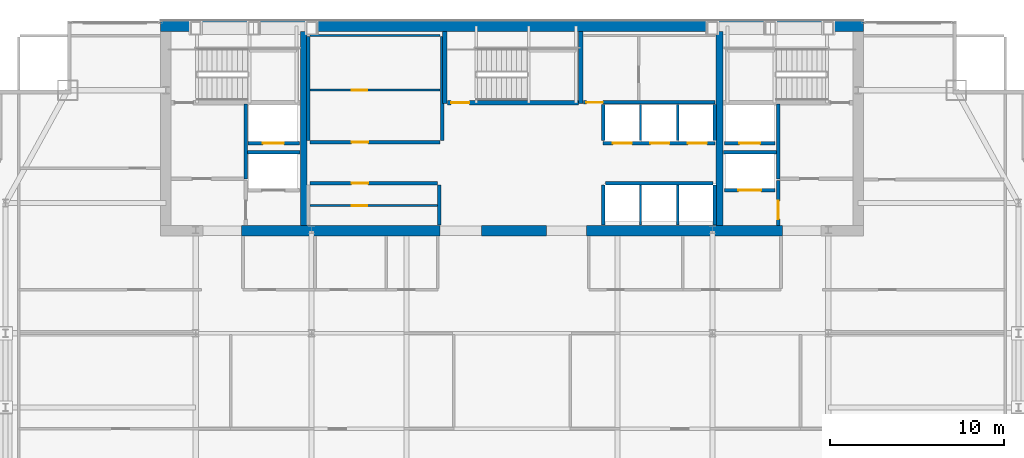
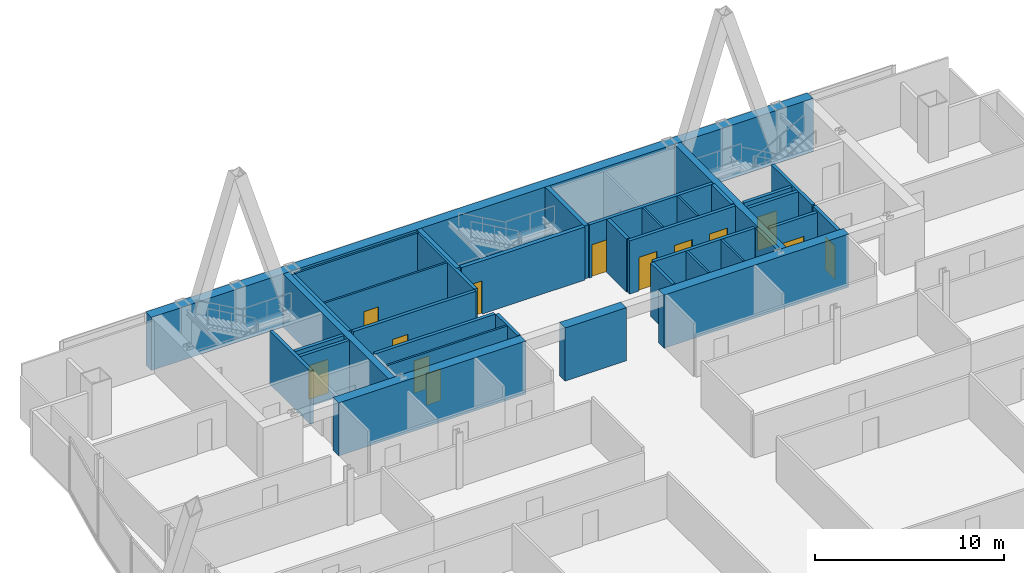
# One storey, part 30 of 33: 36 walls, 13 doors, 13 openings.
"""IFC4 building model written with IfcOpenShell, lengths in metres."""

from ifc_helpers import new_model, si_unit, direction, frame, frame_2d, origin, place, context, subcontext, project, spatial, rectangle, extrude, material, layer, layer_set, type_object, element, fill, save


model = new_model("IFC4")

# Units and contexts
model_context = context("Model", 3, precision=1e-05, world=origin(), true_north=direction((0.0, 1.0)))
body_context = subcontext(model_context, "Body", "Model", "MODEL_VIEW")
ifc_project = project(units=[si_unit("LENGTHUNIT", "METRE"), si_unit("AREAUNIT", "SQUARE_METRE"), si_unit("VOLUMEUNIT", "CUBIC_METRE"), si_unit("PLANEANGLEUNIT", "RADIAN"), si_unit("MASSUNIT", "GRAM", prefix="KILO")], contexts=[model_context])

# Site, building, storey
site_placement = place(None, origin())
site = spatial("IfcSite", under=ifc_project, at=site_placement, CompositionType="ELEMENT")
building_placement = place(site_placement, origin())
building = spatial("IfcBuilding", under=site, at=building_placement, Name="Khoronbel Lancet Exchange", CompositionType="ELEMENT")
storey_placement = place(building_placement, frame((0.0, 0.0, 210.199951171875)))
storey = spatial("IfcBuildingStorey", under=building, at=storey_placement, Name="L53", CompositionType="ELEMENT", Elevation=210.199951171875)

# Walls
ifc_material_1 = material(Name="Concrete C60/75", Category="concrete")
ifc_layer_1 = layer(ifc_material_1, 0.60009765625, Name="Concrete C60/75")
ifc_layer_set_1 = layer_set([ifc_layer_1], Name="Concrete C60/75")
wall_type_1 = type_object("IfcWallType", Name="WL-CW3", PredefinedType="SHEAR", material=ifc_layer_set_1)
wall_1_placement = place(storey_placement, frame((16.199951171875, 53.39990234375, 0.0), z_axis=(0.0, 0.0, 1.0), x_axis=(1.0, 0.0, 0.0)))
element("IfcWall", 1, at=wall_1_placement, inside=storey, type_object=wall_type_1, Name="Level L53 rear core north shear wall", PredefinedType="SHEAR", context=body_context, shape_type="SweptSolid", body=[
    extrude(rectangle(XDim=40.5, YDim=0.60009765625, at=frame_2d((20.25, 0.0))), origin(), (0.0, 0.0, 1.0), 3.43994140625),
])
wall_2_placement = place(storey_placement, frame((32.300048828125, 41.60009765625, 0.0), z_axis=(0.0, 0.0, 1.0), x_axis=(-1.0, 0.0, 0.0)))
element("IfcWall", 2, at=wall_2_placement, inside=storey, type_object=wall_type_1, Name="Level L53 rear core south shear wall pier P2", PredefinedType="SHEAR", context=body_context, shape_type="SweptSolid", body=[
    extrude(rectangle(XDim=11.449951171875, YDim=0.60009765625, at=frame_2d((5.72509765625, 0.0))), origin(), (0.0, 0.0, 1.0), 3.43994140625),
])
wall_3_placement = place(storey_placement, frame((38.449951171875, 41.60009765625, 0.0), z_axis=(0.0, 0.0, 1.0), x_axis=(-1.0, 0.0, 0.0)))
element("IfcWall", 3, at=wall_3_placement, inside=storey, type_object=wall_type_1, Name="Level L53 rear core south shear wall pier P3", PredefinedType="SHEAR", context=body_context, shape_type="SweptSolid", body=[
    extrude(rectangle(XDim=3.75, YDim=0.60009765625, at=frame_2d((1.875, 0.0))), origin(), (0.0, 0.0, 1.0), 3.43994140625),
])
wall_4_placement = place(storey_placement, frame((52.050048828125, 41.60009765625, 0.0), z_axis=(0.0, 0.0, 1.0), x_axis=(-1.0, 0.0, 0.0)))
element("IfcWall", 4, at=wall_4_placement, inside=storey, type_object=wall_type_1, Name="Level L53 rear core south shear wall pier P4", PredefinedType="SHEAR", context=body_context, shape_type="SweptSolid", body=[
    extrude(rectangle(XDim=11.300048828125, YDim=0.60009765625, at=frame_2d((5.64990234375, 0.0))), origin(), (0.0, 0.0, 1.0), 3.43994140625),
])
ifc_material_2 = material(Name="Fire-Rated Metal-Stud & Mineral-Wool Gypsum Partition 120 mm", Category="gypsum")
ifc_layer_2 = layer(ifc_material_2, 0.1201171875, Name="Fire-Rated Metal-Stud & Mineral-Wool Gypsum Partition 120 mm")
ifc_layer_set_2 = layer_set([ifc_layer_2], Name="Fire-Rated Metal-Stud & Mineral-Wool Gypsum Partition 120 mm")
wall_type_2 = type_object("IfcWallType", Name="WL-PRT120F", PredefinedType="PARTITIONING", material=ifc_layer_set_2)
wall_5_placement = place(storey_placement, frame((24.804931640625, 52.860107421875, 0.0), z_axis=(0.0, 0.0, 1.0), x_axis=(1.0, 0.0, 0.0)))
element("IfcWall", 5, at=wall_5_placement, inside=storey, type_object=wall_type_2, Name="Level L53 interior partition CW-PL-RN", PredefinedType="PARTITIONING", context=body_context, shape_type="SweptSolid", body=[
    extrude(rectangle(XDim=7.510009765625, YDim=0.1201171875, at=frame_2d((3.7548828125, 0.0))), origin(), (0.0, 0.0, 1.0), 3.43994140625),
])

# Wall, opening, door
wall_6_placement = place(storey_placement, frame((24.804931640625, 49.708740234375, 0.0), z_axis=(0.0, 0.0, 1.0), x_axis=(1.0, 0.0, 0.0)))
wall_6 = element("IfcWall", 6, at=wall_6_placement, inside=storey, type_object=wall_type_2, Name="Level L53 interior partition CW-PL-RH", PredefinedType="PARTITIONING", context=body_context, shape_type="SweptSolid", body=[
    extrude(rectangle(XDim=7.510009765625, YDim=0.1201171875, at=frame_2d((3.7548828125, 0.0))), origin(), (0.0, 0.0, 1.0), 3.43994140625),
])
opening_1_placement = place(wall_6_placement, frame((2.39990234375, 0.0, 0.0)))
opening_1 = element("IfcOpeningElement", 7, at=opening_1_placement, cuts=wall_6, Name="Opening FD4", PredefinedType="OPENING", context=body_context, shape_type="SweptSolid", body=[
    extrude(rectangle(XDim=0.89990234375, YDim=2.050048828125, at=frame_2d((0.449951171875, 1.02490234375))), frame((0.0, 0.070068359375, 0.0), z_axis=(0.0, -1.0, 0.0), x_axis=(1.0, 0.0, 0.0)), (0.0, 0.0, 1.0), 0.14013671875),
])
ifc_material_3 = material(Name="Fire-Rated Steel Core Support Door Assembly", Category="steel")
door_type_1 = type_object("IfcDoorType", Name="DR-FD4", OperationType="NOTDEFINED", PredefinedType="DOOR", material=ifc_material_3)
door_1_placement = place(opening_1_placement, origin())
door_1 = element("IfcDoor", 8, at=door_1_placement, inside=storey, type_object=door_type_1, Name="Core PL inner store door L53-1", OperationType="SINGLE_SWING_RIGHT", OverallHeight=2.050048828125, OverallWidth=0.89990234375, PredefinedType="DOOR", context=body_context, shape_type="SweptSolid", body=[
    extrude(rectangle(XDim=0.89990234375, YDim=2.050048828125, at=frame_2d((0.449951171875, 1.02490234375))), frame((0.0, 0.02490234375, 0.0), z_axis=(0.0, -1.0, 0.0), x_axis=(1.0, 0.0, 0.0)), (0.0, 0.0, 1.0), 0.050048828125),
])
fill(opening_1, door_1)

wall_7_placement = place(storey_placement, frame((24.804931640625, 43.053955078125, 0.0), z_axis=(0.0, 0.0, 1.0), x_axis=(1.0, 0.0, 0.0)))
wall_7 = element("IfcWall", 9, at=wall_7_placement, inside=storey, type_object=wall_type_2, Name="Level L53 interior partition CW-PM-RH", PredefinedType="PARTITIONING", context=body_context, shape_type="SweptSolid", body=[
    extrude(rectangle(XDim=7.340087890625, YDim=0.1201171875, at=frame_2d((3.669921875, 0.0))), origin(), (0.0, 0.0, 1.0), 3.43994140625),
])
opening_2_placement = place(wall_7_placement, frame((2.39990234375, 0.0, 0.0)))
opening_2 = element("IfcOpeningElement", 10, at=opening_2_placement, cuts=wall_7, Name="Opening FD4", PredefinedType="OPENING", context=body_context, shape_type="SweptSolid", body=[
    extrude(rectangle(XDim=0.89990234375, YDim=2.050048828125, at=frame_2d((0.449951171875, 1.02490234375))), frame((0.0, 0.070068359375, 0.0), z_axis=(0.0, -1.0, 0.0), x_axis=(1.0, 0.0, 0.0)), (0.0, 0.0, 1.0), 0.14013671875),
])
door_2_placement = place(opening_2_placement, origin())
door_2 = element("IfcDoor", 11, at=door_2_placement, inside=storey, type_object=door_type_1, Name="Core PM inner store door L53-1", OperationType="SINGLE_SWING_RIGHT", OverallHeight=2.050048828125, OverallWidth=0.89990234375, PredefinedType="DOOR", context=body_context, shape_type="SweptSolid", body=[
    extrude(rectangle(XDim=0.89990234375, YDim=2.050048828125, at=frame_2d((0.449951171875, 1.02490234375))), frame((0.0, 0.02490234375, 0.0), z_axis=(0.0, -1.0, 0.0), x_axis=(1.0, 0.0, 0.0)), (0.0, 0.0, 1.0), 0.050048828125),
])
fill(opening_2, door_2)

# Walls
for number, where, z_axis, x_axis, name in (
    (12, (43.860107421875, 46.800048828125, 0.0), (0.0, 0.0, 1.0), (0.0, 1.0, 0.0), "Level L53 interior partition CW-PH-D1"),
    (13, (46.0, 46.800048828125, 0.0), (0.0, 0.0, 1.0), (0.0, 1.0, 0.0), "Level L53 interior partition CW-PH-D2"),
):
    element("IfcWall", number, at=place(storey_placement, frame(where, z_axis=z_axis, x_axis=x_axis)), inside=storey, type_object=wall_type_2, Name=name, PredefinedType="PARTITIONING", context=body_context, shape_type="SweptSolid", body=[
        extrude(rectangle(XDim=2.094970703125, YDim=0.1201171875, at=frame_2d((1.04736328125, 0.0))), origin(), (0.0, 0.0, 1.0), 3.43994140625),
    ])
for number, where, z_axis, x_axis, name in (
    (14, (43.860107421875, 41.949951171875, 0.0), (0.0, 0.0, 1.0), (0.0, 1.0, 0.0), "Level L53 interior partition CW-PX-D1"),
    (15, (46.0, 41.949951171875, 0.0), (0.0, 0.0, 1.0), (0.0, 1.0, 0.0), "Level L53 interior partition CW-PX-D2"),
):
    element("IfcWall", number, at=place(storey_placement, frame(where, z_axis=z_axis, x_axis=x_axis)), inside=storey, type_object=wall_type_2, Name=name, PredefinedType="PARTITIONING", context=body_context, shape_type="SweptSolid", body=[
        extrude(rectangle(XDim=2.295166015625, YDim=0.1201171875, at=frame_2d((1.1474609375, 0.0))), origin(), (0.0, 0.0, 1.0), 3.43994140625),
    ])

# Wall, opening, door
ifc_material_4 = material(Name="Autoclaved Aerated Concrete Blockwork 200 mm", Category="masonry")
ifc_layer_3 = layer(ifc_material_4, 0.199951171875, Name="Autoclaved Aerated Concrete Blockwork 200 mm")
ifc_layer_set_3 = layer_set([ifc_layer_3], Name="Autoclaved Aerated Concrete Blockwork 200 mm")
wall_type_3 = type_object("IfcWallType", Name="WL-PRT200", PredefinedType="PARTITIONING", material=ifc_layer_set_3)
wall_8_placement = place(storey_placement, frame((51.610107421875, 43.949951171875, 0.0), z_axis=(0.0, 0.0, 1.0), x_axis=(-1.0, 0.0, 0.0)))
wall_8 = element("IfcWall", 16, at=wall_8_placement, inside=storey, type_object=wall_type_3, Name="Level L53 elevator hoistway landing front wall SVLE", PredefinedType="PARTITIONING", context=body_context, shape_type="SweptSolid", body=[
    extrude(rectangle(XDim=2.920166015625, YDim=0.199951171875, at=frame_2d((1.4599609375, 0.0))), origin(), (0.0, 0.0, 1.0), 3.43994140625),
])
opening_3_placement = place(wall_8_placement, frame((0.81005859375, 0.0, 0.0)))
opening_3 = element("IfcOpeningElement", 17, at=opening_3_placement, cuts=wall_8, Name="Opening LD-SVL2", PredefinedType="OPENING", context=body_context, shape_type="SweptSolid", body=[
    extrude(rectangle(XDim=1.300048828125, YDim=2.179931640625, at=frame_2d((0.64990234375, 1.08984375))), frame((0.0, 0.10986328125, 0.0), z_axis=(0.0, -1.0, 0.0), x_axis=(1.0, 0.0, 0.0)), (0.0, 0.0, 1.0), 0.219970703125),
])
ifc_material_5 = material(Name="Heavy-Duty Bi-Parting Goods Lift Landing Door", Category="steel")
door_type_2 = type_object("IfcDoorType", Name="DR-LD-SVL", OperationType="NOTDEFINED", PredefinedType="DOOR", material=ifc_material_5)
door_3_placement = place(opening_3_placement, origin())
door_3 = element("IfcDoor", 18, at=door_3_placement, inside=storey, type_object=door_type_2, Name="Elevator landing sliding door LD-SVL2 L53", OperationType="SLIDING_TO_LEFT", OverallHeight=2.179931640625, OverallWidth=1.300048828125, PredefinedType="DOOR", context=body_context, shape_type="SweptSolid", body=[
    extrude(rectangle(XDim=1.300048828125, YDim=2.179931640625, at=frame_2d((0.64990234375, 1.08984375))), frame((0.0, 0.02490234375, 0.0), z_axis=(0.0, -1.0, 0.0), x_axis=(1.0, 0.0, 0.0)), (0.0, 0.0, 1.0), 0.050048828125),
])
fill(opening_3, door_3)

wall_9_placement = place(storey_placement, frame((51.610107421875, 46.64990234375, 0.0), z_axis=(0.0, 0.0, 1.0), x_axis=(-1.0, 0.0, 0.0)))
wall_9 = element("IfcWall", 19, at=wall_9_placement, inside=storey, type_object=wall_type_3, Name="Level L53 elevator hoistway landing front wall FFLE", PredefinedType="PARTITIONING", context=body_context, shape_type="SweptSolid", body=[
    extrude(rectangle(XDim=2.920166015625, YDim=0.199951171875, at=frame_2d((1.4599609375, 0.0))), origin(), (0.0, 0.0, 1.0), 3.43994140625),
])
opening_4_placement = place(wall_9_placement, frame((0.860107421875, 0.0, 0.0)))
opening_4 = element("IfcOpeningElement", 20, at=opening_4_placement, cuts=wall_9, Name="Opening LD-FFL2", PredefinedType="OPENING", context=body_context, shape_type="SweptSolid", body=[
    extrude(rectangle(XDim=1.199951171875, YDim=2.179931640625, at=frame_2d((0.60009765625, 1.08984375))), frame((0.0, 0.10986328125, 0.0), z_axis=(0.0, -1.0, 0.0), x_axis=(1.0, 0.0, 0.0)), (0.0, 0.0, 1.0), 0.219970703125),
])
ifc_material_6 = material(Name="Fire-Rated Stainless Bi-Parting Firefighting Lift Door", Category="steel")
door_type_3 = type_object("IfcDoorType", Name="DR-LD-FFL", OperationType="NOTDEFINED", PredefinedType="DOOR", material=ifc_material_6)
door_4_placement = place(opening_4_placement, origin())
door_4 = element("IfcDoor", 21, at=door_4_placement, inside=storey, type_object=door_type_3, Name="Elevator landing sliding door LD-FFL2 L53", OperationType="SLIDING_TO_LEFT", OverallHeight=2.179931640625, OverallWidth=1.199951171875, PredefinedType="DOOR", context=body_context, shape_type="SweptSolid", body=[
    extrude(rectangle(XDim=1.199951171875, YDim=2.179931640625, at=frame_2d((0.60009765625, 1.08984375))), frame((0.0, 0.02490234375, 0.0), z_axis=(0.0, -1.0, 0.0), x_axis=(1.0, 0.0, 0.0)), (0.0, 0.0, 1.0), 0.050048828125),
])
fill(opening_4, door_4)

wall_10_placement = place(storey_placement, frame((24.2099609375, 46.64990234375, 0.0), z_axis=(0.0, 0.0, 1.0), x_axis=(-1.0, 0.0, 0.0)))
wall_10 = element("IfcWall", 22, at=wall_10_placement, inside=storey, type_object=wall_type_3, Name="Level L53 elevator hoistway landing front wall FFLW", PredefinedType="PARTITIONING", context=body_context, shape_type="SweptSolid", body=[
    extrude(rectangle(XDim=2.969970703125, YDim=0.199951171875, at=frame_2d((1.48486328125, 0.0))), origin(), (0.0, 0.0, 1.0), 3.43994140625),
])
opening_5_placement = place(wall_10_placement, frame((0.909912109375, 0.0, 0.0)))
opening_5 = element("IfcOpeningElement", 23, at=opening_5_placement, cuts=wall_10, Name="Opening LD-FFL1", PredefinedType="OPENING", context=body_context, shape_type="SweptSolid", body=[
    extrude(rectangle(XDim=1.199951171875, YDim=2.179931640625, at=frame_2d((0.60009765625, 1.08984375))), frame((0.0, 0.10986328125, 0.0), z_axis=(0.0, -1.0, 0.0), x_axis=(1.0, 0.0, 0.0)), (0.0, 0.0, 1.0), 0.219970703125),
])
door_5_placement = place(opening_5_placement, origin())
door_5 = element("IfcDoor", 24, at=door_5_placement, inside=storey, type_object=door_type_3, Name="Elevator landing sliding door LD-FFL1 L53", OperationType="SLIDING_TO_LEFT", OverallHeight=2.179931640625, OverallWidth=1.199951171875, PredefinedType="DOOR", context=body_context, shape_type="SweptSolid", body=[
    extrude(rectangle(XDim=1.199951171875, YDim=2.179931640625, at=frame_2d((0.60009765625, 1.08984375))), frame((0.0, 0.02490234375, 0.0), z_axis=(0.0, -1.0, 0.0), x_axis=(1.0, 0.0, 0.0)), (0.0, 0.0, 1.0), 0.050048828125),
])
fill(opening_5, door_5)

# Wall, openings, doors
wall_11_placement = place(storey_placement, frame((48.159912109375, 46.64990234375, 0.0), z_axis=(0.0, 0.0, 1.0), x_axis=(-1.0, 0.0, 0.0)))
wall_11 = element("IfcWall", 25, at=wall_11_placement, inside=storey, type_object=wall_type_3, Name="Level L53 elevator hoistway landing front wall PHE", PredefinedType="PARTITIONING", context=body_context, shape_type="SweptSolid", body=[
    extrude(rectangle(XDim=6.47998046875, YDim=0.199951171875, at=frame_2d((3.239990234375, 0.0))), origin(), (0.0, 0.0, 1.0), 3.43994140625),
])
opening_6_placement = place(wall_11_placement, frame((4.800048828125, 0.0, 0.0)))
opening_6 = element("IfcOpeningElement", 26, at=opening_6_placement, cuts=wall_11, Name="Opening LD-PH1", PredefinedType="OPENING", context=body_context, shape_type="SweptSolid", body=[
    extrude(rectangle(XDim=1.10009765625, YDim=2.179931640625, at=frame_2d((0.550048828125, 1.08984375))), frame((0.0, 0.10986328125, 0.0), z_axis=(0.0, -1.0, 0.0), x_axis=(1.0, 0.0, 0.0)), (0.0, 0.0, 1.0), 0.219970703125),
])
opening_7_placement = place(wall_11_placement, frame((2.639892578125, 0.0, 0.0)))
opening_7 = element("IfcOpeningElement", 27, at=opening_7_placement, cuts=wall_11, Name="Opening LD-PH2", PredefinedType="OPENING", context=body_context, shape_type="SweptSolid", body=[
    extrude(rectangle(XDim=1.10009765625, YDim=2.179931640625, at=frame_2d((0.550048828125, 1.08984375))), frame((0.0, 0.10986328125, 0.0), z_axis=(0.0, -1.0, 0.0), x_axis=(1.0, 0.0, 0.0)), (0.0, 0.0, 1.0), 0.219970703125),
])
opening_8_placement = place(wall_11_placement, frame((0.47998046875, 0.0, 0.0)))
opening_8 = element("IfcOpeningElement", 28, at=opening_8_placement, cuts=wall_11, Name="Opening LD-PH3", PredefinedType="OPENING", context=body_context, shape_type="SweptSolid", body=[
    extrude(rectangle(XDim=1.10009765625, YDim=2.179931640625, at=frame_2d((0.550048828125, 1.08984375))), frame((0.0, 0.10986328125, 0.0), z_axis=(0.0, -1.0, 0.0), x_axis=(1.0, 0.0, 0.0)), (0.0, 0.0, 1.0), 0.219970703125),
])
ifc_material_7 = material(Name="Brushed Bronze Bi-Parting Elevator Landing Door", Category="steel")
door_type_4 = type_object("IfcDoorType", Name="DR-LD-PAX", OperationType="NOTDEFINED", PredefinedType="DOOR", material=ifc_material_7)
door_6_placement = place(opening_6_placement, origin())
door_6 = element("IfcDoor", 29, at=door_6_placement, inside=storey, type_object=door_type_4, Name="Elevator landing sliding door LD-PH1 L53", OperationType="SLIDING_TO_LEFT", OverallHeight=2.179931640625, OverallWidth=1.10009765625, PredefinedType="DOOR", context=body_context, shape_type="SweptSolid", body=[
    extrude(rectangle(XDim=1.10009765625, YDim=2.179931640625, at=frame_2d((0.550048828125, 1.08984375))), frame((0.0, 0.02490234375, 0.0), z_axis=(0.0, -1.0, 0.0), x_axis=(1.0, 0.0, 0.0)), (0.0, 0.0, 1.0), 0.050048828125),
])
fill(opening_6, door_6)
door_7_placement = place(opening_7_placement, origin())
door_7 = element("IfcDoor", 30, at=door_7_placement, inside=storey, type_object=door_type_4, Name="Elevator landing sliding door LD-PH2 L53", OperationType="SLIDING_TO_LEFT", OverallHeight=2.179931640625, OverallWidth=1.10009765625, PredefinedType="DOOR", context=body_context, shape_type="SweptSolid", body=[
    extrude(rectangle(XDim=1.10009765625, YDim=2.179931640625, at=frame_2d((0.550048828125, 1.08984375))), frame((0.0, 0.02490234375, 0.0), z_axis=(0.0, -1.0, 0.0), x_axis=(1.0, 0.0, 0.0)), (0.0, 0.0, 1.0), 0.050048828125),
])
fill(opening_7, door_7)
door_8_placement = place(opening_8_placement, origin())
door_8 = element("IfcDoor", 31, at=door_8_placement, inside=storey, type_object=door_type_4, Name="Elevator landing sliding door LD-PH3 L53", OperationType="SLIDING_TO_LEFT", OverallHeight=2.179931640625, OverallWidth=1.10009765625, PredefinedType="DOOR", context=body_context, shape_type="SweptSolid", body=[
    extrude(rectangle(XDim=1.10009765625, YDim=2.179931640625, at=frame_2d((0.550048828125, 1.08984375))), frame((0.0, 0.02490234375, 0.0), z_axis=(0.0, -1.0, 0.0), x_axis=(1.0, 0.0, 0.0)), (0.0, 0.0, 1.0), 0.050048828125),
])
fill(opening_8, door_8)

# Walls
wall_12_placement = place(storey_placement, frame((21.10009765625, 44.60009765625, 0.0), z_axis=(0.0, 0.0, 1.0), x_axis=(0.0, 1.0, 0.0)))
element("IfcWall", 32, at=wall_12_placement, inside=storey, type_object=wall_type_3, Name="Level L53 interior partition CW-FFLW-E", PredefinedType="PARTITIONING", context=body_context, shape_type="SweptSolid", body=[
    extrude(rectangle(XDim=4.2998046875, YDim=0.199951171875, at=frame_2d((2.14990234375, 0.0))), origin(), (0.0, 0.0, 1.0), 3.43994140625),
])
wall_13_placement = place(storey_placement, frame((21.199951171875, 46.1201171875, 0.0), z_axis=(0.0, 0.0, 1.0), x_axis=(1.0, 0.0, 0.0)))
element("IfcWall", 33, at=wall_13_placement, inside=storey, type_object=wall_type_3, Name="Level L53 interior partition CW-FFL1-S", PredefinedType="PARTITIONING", context=body_context, shape_type="SweptSolid", body=[
    extrude(rectangle(XDim=3.02001953125, YDim=0.199951171875, at=frame_2d((1.510009765625, 0.0))), origin(), (0.0, 0.0, 1.0), 3.43994140625),
])
wall_14_placement = place(storey_placement, frame((51.800048828125, 44.60009765625, 0.0), z_axis=(0.0, 0.0, 1.0), x_axis=(0.0, 1.0, 0.0)))
element("IfcWall", 34, at=wall_14_placement, inside=storey, type_object=wall_type_3, Name="Level L53 interior partition CW-FFLE-W", PredefinedType="PARTITIONING", context=body_context, shape_type="SweptSolid", body=[
    extrude(rectangle(XDim=4.2998046875, YDim=0.199951171875, at=frame_2d((2.14990234375, 0.0))), origin(), (0.0, 0.0, 1.0), 3.43994140625),
])
wall_15_placement = place(storey_placement, frame((48.6298828125, 46.1201171875, 0.0), z_axis=(0.0, 0.0, 1.0), x_axis=(1.0, 0.0, 0.0)))
element("IfcWall", 35, at=wall_15_placement, inside=storey, type_object=wall_type_3, Name="Level L53 interior partition CW-FFL2-S", PredefinedType="PARTITIONING", context=body_context, shape_type="SweptSolid", body=[
    extrude(rectangle(XDim=3.070068359375, YDim=0.199951171875, at=frame_2d((1.53515625, 0.0))), origin(), (0.0, 0.0, 1.0), 3.43994140625),
])

# Wall, opening, door
wall_16_placement = place(storey_placement, frame((51.800048828125, 41.89990234375, 0.0), z_axis=(0.0, 0.0, 1.0), x_axis=(0.0, 1.0, 0.0)))
wall_16 = element("IfcWall", 36, at=wall_16_placement, inside=storey, type_object=wall_type_3, Name="Level L53 interior partition CW-SVLE-E", PredefinedType="PARTITIONING", context=body_context, shape_type="SweptSolid", body=[
    extrude(rectangle(XDim=2.59521484375, YDim=0.199951171875, at=frame_2d((1.297607421875, 0.0))), origin(), (0.0, 0.0, 1.0), 3.43994140625),
])
opening_9_placement = place(wall_16_placement, frame((0.3798828125, 0.0, 0.0)))
opening_9 = element("IfcOpeningElement", 37, at=opening_9_placement, cuts=wall_16, Name="Opening FD1", PredefinedType="OPENING", context=body_context, shape_type="SweptSolid", body=[
    extrude(rectangle(XDim=1.050048828125, YDim=2.14990234375, at=frame_2d((0.52490234375, 1.074951171875))), frame((0.0, 0.10986328125, 0.0), z_axis=(0.0, -1.0, 0.0), x_axis=(1.0, 0.0, 0.0)), (0.0, 0.0, 1.0), 0.219970703125),
])
ifc_material_8 = material(Name="Fire-Rated Painted Steel Door Assembly", Category="steel")
door_type_5 = type_object("IfcDoorType", Name="DR-FD1", OperationType="NOTDEFINED", PredefinedType="DOOR", material=ifc_material_8)
door_9_placement = place(opening_9_placement, origin())
door_9 = element("IfcDoor", 38, at=door_9_placement, inside=storey, type_object=door_type_5, Name="East service lift lobby door L53-1", OperationType="SINGLE_SWING_LEFT", OverallHeight=2.14990234375, OverallWidth=1.050048828125, PredefinedType="DOOR", context=body_context, shape_type="SweptSolid", body=[
    extrude(rectangle(XDim=1.050048828125, YDim=2.14990234375, at=frame_2d((0.52490234375, 1.074951171875))), frame((0.0, 0.02490234375, 0.0), z_axis=(0.0, -1.0, 0.0), x_axis=(1.0, 0.0, 0.0)), (0.0, 0.0, 1.0), 0.050048828125),
])
fill(opening_9, door_9)

# Walls
for number, where, z_axis, x_axis, name in (
    (39, (24.699951171875, 46.804931640625, 0.0), (0.0, 0.0, 1.0), (0.0, 1.0, 0.0), "Level L53 interior partition CW-PL-RW"),
    (40, (32.419921875, 46.804931640625, 0.0), (0.0, 0.0, 1.0), (0.0, 1.0, 0.0), "Level L53 interior partition CW-PL-RE"),
):
    element("IfcWall", number, at=place(storey_placement, frame(where, z_axis=z_axis, x_axis=x_axis)), inside=storey, type_object=wall_type_3, Name=name, PredefinedType="PARTITIONING", context=body_context, shape_type="SweptSolid", body=[
        extrude(rectangle(XDim=5.989990234375, YDim=0.199951171875, at=frame_2d((2.9951171875, 0.0))), origin(), (0.0, 0.0, 1.0), 3.43994140625),
    ])

# Wall, opening, door
wall_17_placement = place(storey_placement, frame((24.804931640625, 46.699951171875, 0.0), z_axis=(0.0, 0.0, 1.0), x_axis=(1.0, 0.0, 0.0)))
wall_17 = element("IfcWall", 41, at=wall_17_placement, inside=storey, type_object=wall_type_3, Name="Level L53 interior partition CW-PL-RF", PredefinedType="PARTITIONING", context=body_context, shape_type="SweptSolid", body=[
    extrude(rectangle(XDim=7.510009765625, YDim=0.199951171875, at=frame_2d((3.7548828125, 0.0))), origin(), (0.0, 0.0, 1.0), 3.43994140625),
])
opening_10_placement = place(wall_17_placement, frame((2.39990234375, 0.0, 0.0)))
opening_10 = element("IfcOpeningElement", 42, at=opening_10_placement, cuts=wall_17, Name="Opening FD3", PredefinedType="OPENING", context=body_context, shape_type="SweptSolid", body=[
    extrude(rectangle(XDim=0.949951171875, YDim=2.10009765625, at=frame_2d((0.47509765625, 1.050048828125))), frame((0.0, 0.10986328125, 0.0), z_axis=(0.0, -1.0, 0.0), x_axis=(1.0, 0.0, 0.0)), (0.0, 0.0, 1.0), 0.219970703125),
])
ifc_material_9 = material(Name="Fire-Rated Steel Plant & Riser Door Assembly", Category="steel")
door_type_6 = type_object("IfcDoorType", Name="DR-FD3", OperationType="NOTDEFINED", PredefinedType="DOOR", material=ifc_material_9)
door_10_placement = place(opening_10_placement, origin())
door_10 = element("IfcDoor", 43, at=door_10_placement, inside=storey, type_object=door_type_6, Name="Core PL merged gallery room door L53-1", OperationType="SINGLE_SWING_LEFT", OverallHeight=2.10009765625, OverallWidth=0.949951171875, PredefinedType="DOOR", context=body_context, shape_type="SweptSolid", body=[
    extrude(rectangle(XDim=0.949951171875, YDim=2.10009765625, at=frame_2d((0.47509765625, 1.050048828125))), frame((0.0, 0.02490234375, 0.0), z_axis=(0.0, -1.0, 0.0), x_axis=(1.0, 0.0, 0.0)), (0.0, 0.0, 1.0), 0.050048828125),
])
fill(opening_10, door_10)

# Wall
wall_18_placement = place(storey_placement, frame((32.25, 41.949951171875, 0.0), z_axis=(0.0, 0.0, 1.0), x_axis=(0.0, 1.0, 0.0)))
element("IfcWall", 44, at=wall_18_placement, inside=storey, type_object=wall_type_3, Name="Level L53 interior partition CW-PM-RE", PredefinedType="PARTITIONING", context=body_context, shape_type="SweptSolid", body=[
    extrude(rectangle(XDim=2.295166015625, YDim=0.199951171875, at=frame_2d((1.1474609375, 0.0))), origin(), (0.0, 0.0, 1.0), 3.43994140625),
])

# Wall, opening, door
wall_19_placement = place(storey_placement, frame((24.804931640625, 44.35009765625, 0.0), z_axis=(0.0, 0.0, 1.0), x_axis=(1.0, 0.0, 0.0)))
wall_19 = element("IfcWall", 45, at=wall_19_placement, inside=storey, type_object=wall_type_3, Name="Level L53 interior partition CW-PM-RF", PredefinedType="PARTITIONING", context=body_context, shape_type="SweptSolid", body=[
    extrude(rectangle(XDim=7.340087890625, YDim=0.199951171875, at=frame_2d((3.669921875, 0.0))), origin(), (0.0, 0.0, 1.0), 3.43994140625),
])
opening_11_placement = place(wall_19_placement, frame((2.39990234375, 0.0, 0.0)))
opening_11 = element("IfcOpeningElement", 46, at=opening_11_placement, cuts=wall_19, Name="Opening FD3", PredefinedType="OPENING", context=body_context, shape_type="SweptSolid", body=[
    extrude(rectangle(XDim=0.949951171875, YDim=2.10009765625, at=frame_2d((0.47509765625, 1.050048828125))), frame((0.0, 0.10986328125, 0.0), z_axis=(0.0, -1.0, 0.0), x_axis=(1.0, 0.0, 0.0)), (0.0, 0.0, 1.0), 0.219970703125),
])
door_11_placement = place(opening_11_placement, origin())
door_11 = element("IfcDoor", 47, at=door_11_placement, inside=storey, type_object=door_type_6, Name="Core PM merged gallery room door L53-1", OperationType="SINGLE_SWING_LEFT", OverallHeight=2.10009765625, OverallWidth=0.949951171875, PredefinedType="DOOR", context=body_context, shape_type="SweptSolid", body=[
    extrude(rectangle(XDim=0.949951171875, YDim=2.10009765625, at=frame_2d((0.47509765625, 1.050048828125))), frame((0.0, 0.02490234375, 0.0), z_axis=(0.0, -1.0, 0.0), x_axis=(1.0, 0.0, 0.0)), (0.0, 0.0, 1.0), 0.050048828125),
])
fill(opening_11, door_11)

# Walls
for number, where, z_axis, x_axis, name in (
    (48, (41.719970703125, 46.800048828125, 0.0), (0.0, 0.0, 1.0), (0.0, 1.0, 0.0), "Level L53 interior partition CW-PH-W"),
    (49, (48.139892578125, 46.800048828125, 0.0), (0.0, 0.0, 1.0), (0.0, 1.0, 0.0), "Level L53 interior partition CW-PH-E"),
):
    element("IfcWall", number, at=place(storey_placement, frame(where, z_axis=z_axis, x_axis=x_axis)), inside=storey, type_object=wall_type_3, Name=name, PredefinedType="PARTITIONING", context=body_context, shape_type="SweptSolid", body=[
        extrude(rectangle(XDim=2.094970703125, YDim=0.199951171875, at=frame_2d((1.04736328125, 0.0))), origin(), (0.0, 0.0, 1.0), 3.43994140625),
    ])
wall_20_placement = place(storey_placement, frame((41.824951171875, 44.35009765625, 0.0), z_axis=(0.0, 0.0, 1.0), x_axis=(1.0, 0.0, 0.0)))
element("IfcWall", 50, at=wall_20_placement, inside=storey, type_object=wall_type_3, Name="Level L53 interior partition CW-PX-EXP", PredefinedType="PARTITIONING", context=body_context, shape_type="SweptSolid", body=[
    extrude(rectangle(XDim=6.2099609375, YDim=0.199951171875, at=frame_2d((3.10498046875, 0.0))), origin(), (0.0, 0.0, 1.0), 3.43994140625),
])
for number, where, z_axis, x_axis, name in (
    (51, (41.719970703125, 41.949951171875, 0.0), (0.0, 0.0, 1.0), (0.0, 1.0, 0.0), "Level L53 interior partition CW-PX-W"),
    (52, (48.139892578125, 41.949951171875, 0.0), (0.0, 0.0, 1.0), (0.0, 1.0, 0.0), "Level L53 interior partition CW-PX-E"),
):
    element("IfcWall", number, at=place(storey_placement, frame(where, z_axis=z_axis, x_axis=x_axis)), inside=storey, type_object=wall_type_3, Name=name, PredefinedType="PARTITIONING", context=body_context, shape_type="SweptSolid", body=[
        extrude(rectangle(XDim=2.295166015625, YDim=0.199951171875, at=frame_2d((1.1474609375, 0.0))), origin(), (0.0, 0.0, 1.0), 3.43994140625),
    ])

# Wall, opening, door
wall_21_placement = place(storey_placement, frame((40.580078125, 49.0, 0.0), z_axis=(0.0, 0.0, 1.0), x_axis=(1.0, 0.0, 0.0)))
wall_21 = element("IfcWall", 53, at=wall_21_placement, inside=storey, type_object=wall_type_3, Name="Level L53 interior partition CW-SUP-NE-S", PredefinedType="PARTITIONING", context=body_context, shape_type="SweptSolid", body=[
    extrude(rectangle(XDim=7.559814453125, YDim=0.199951171875, at=frame_2d((3.77978515625, 0.0))), origin(), (0.0, 0.0, 1.0), 3.43994140625),
])
opening_12_placement = place(wall_21_placement, frame((0.159912109375, 0.0, 0.0)))
opening_12 = element("IfcOpeningElement", 54, at=opening_12_placement, cuts=wall_21, Name="Opening FD3", PredefinedType="OPENING", context=body_context, shape_type="SweptSolid", body=[
    extrude(rectangle(XDim=0.949951171875, YDim=2.10009765625, at=frame_2d((0.47509765625, 1.050048828125))), frame((0.0, 0.10986328125, 0.0), z_axis=(0.0, -1.0, 0.0), x_axis=(1.0, 0.0, 0.0)), (0.0, 0.0, 1.0), 0.219970703125),
])
door_12_placement = place(opening_12_placement, origin())
door_12 = element("IfcDoor", 55, at=door_12_placement, inside=storey, type_object=door_type_6, Name="Core NE support room door L53-1", OperationType="SINGLE_SWING_RIGHT", OverallHeight=2.10009765625, OverallWidth=0.949951171875, PredefinedType="DOOR", context=body_context, shape_type="SweptSolid", body=[
    extrude(rectangle(XDim=0.949951171875, YDim=2.10009765625, at=frame_2d((0.47509765625, 1.050048828125))), frame((0.0, 0.02490234375, 0.0), z_axis=(0.0, -1.0, 0.0), x_axis=(1.0, 0.0, 0.0)), (0.0, 0.0, 1.0), 0.050048828125),
])
fill(opening_12, door_12)

# Walls
ifc_layer_4 = layer(ifc_material_1, 0.39990234375, Name="Concrete C60/75")
ifc_layer_set_4 = layer_set([ifc_layer_4], Name="Concrete C60/75")
wall_type_4 = type_object("IfcWallType", Name="WL-SW2", PredefinedType="SHEAR", material=ifc_layer_set_4)
for number, where, z_axis, x_axis, name in (
    (56, (24.449951171875, 41.89990234375, 0.0), (0.0, 0.0, 1.0), (0.0, 1.0, 0.0), "Level L53 rear core internal spine shear wall IW"),
    (57, (48.39990234375, 41.89990234375, 0.0), (0.0, 0.0, 1.0), (0.0, 1.0, 0.0), "Level L53 rear core internal spine shear wall IE"),
):
    element("IfcWall", number, at=place(storey_placement, frame(where, z_axis=z_axis, x_axis=x_axis)), inside=storey, type_object=wall_type_4, Name=name, PredefinedType="SHEAR", context=body_context, shape_type="SweptSolid", body=[
        extrude(rectangle(XDim=11.2001953125, YDim=0.39990234375, at=frame_2d((5.60009765625, 0.0))), origin(), (0.0, 0.0, 1.0), 3.43994140625),
    ])
ifc_layer_5 = layer(ifc_material_1, 0.260009765625, Name="Concrete C60/75")
ifc_layer_set_5 = layer_set([ifc_layer_5], Name="Concrete C60/75")
wall_type_5 = type_object("IfcWallType", Name="WL-SW3", PredefinedType="SHEAR", material=ifc_layer_set_5)
for number, where, z_axis, x_axis, name in (
    (58, (32.580078125, 48.949951171875, 0.0), (0.0, 0.0, 1.0), (0.0, 1.0, 0.0), "Level L53 central stairwell structural shear wall ST3W"),
    (59, (40.419921875, 48.949951171875, 0.0), (0.0, 0.0, 1.0), (0.0, 1.0, 0.0), "Level L53 central stairwell structural shear wall ST3E"),
):
    element("IfcWall", number, at=place(storey_placement, frame(where, z_axis=z_axis, x_axis=x_axis)), inside=storey, type_object=wall_type_5, Name=name, PredefinedType="SHEAR", context=body_context, shape_type="SweptSolid", body=[
        extrude(rectangle(XDim=4.150146484375, YDim=0.260009765625, at=frame_2d((2.0751953125, 0.0))), origin(), (0.0, 0.0, 1.0), 3.43994140625),
    ])

# Wall, opening, door
wall_22_placement = place(storey_placement, frame((32.719970703125, 48.97998046875, 0.0), z_axis=(0.0, 0.0, 1.0), x_axis=(1.0, 0.0, 0.0)))
wall_22 = element("IfcWall", 60, at=wall_22_placement, inside=storey, type_object=wall_type_5, Name="Level L53 central stairwell structural south wall", PredefinedType="SHEAR", context=body_context, shape_type="SweptSolid", body=[
    extrude(rectangle(XDim=7.56005859375, YDim=0.239990234375, at=frame_2d((3.780029296875, 0.0))), origin(), (0.0, 0.0, 1.0), 3.43994140625),
])
opening_13_placement = place(wall_22_placement, frame((0.219970703125, 0.0, 0.0)))
opening_13 = element("IfcOpeningElement", 61, at=opening_13_placement, cuts=wall_22, Name="Opening SD1", PredefinedType="OPENING", context=body_context, shape_type="SweptSolid", body=[
    extrude(rectangle(XDim=1.050048828125, YDim=2.14990234375, at=frame_2d((0.52490234375, 1.074951171875))), frame((0.0, 0.1298828125, 0.0), z_axis=(0.0, -1.0, 0.0), x_axis=(1.0, 0.0, 0.0)), (0.0, 0.0, 1.0), 0.260009765625),
])
ifc_material_10 = material(Name="Fire-Rated Steel Stairwell Door Assembly", Category="steel")
door_type_7 = type_object("IfcDoorType", Name="DR-SD1", OperationType="NOTDEFINED", PredefinedType="DOOR", material=ifc_material_10)
door_13_placement = place(opening_13_placement, origin())
door_13 = element("IfcDoor", 62, at=door_13_placement, inside=storey, type_object=door_type_7, Name="Protected exit stair ST3 door L53", OperationType="SINGLE_SWING_LEFT", OverallHeight=2.14990234375, OverallWidth=1.050048828125, PredefinedType="DOOR", context=body_context, shape_type="SweptSolid", body=[
    extrude(rectangle(XDim=1.050048828125, YDim=2.14990234375, at=frame_2d((0.52490234375, 1.074951171875))), frame((0.0, 0.02490234375, 0.0), z_axis=(0.0, -1.0, 0.0), x_axis=(1.0, 0.0, 0.0)), (0.0, 0.0, 1.0), 0.050048828125),
])
fill(opening_13, door_13)

save(model, "model.ifc")
